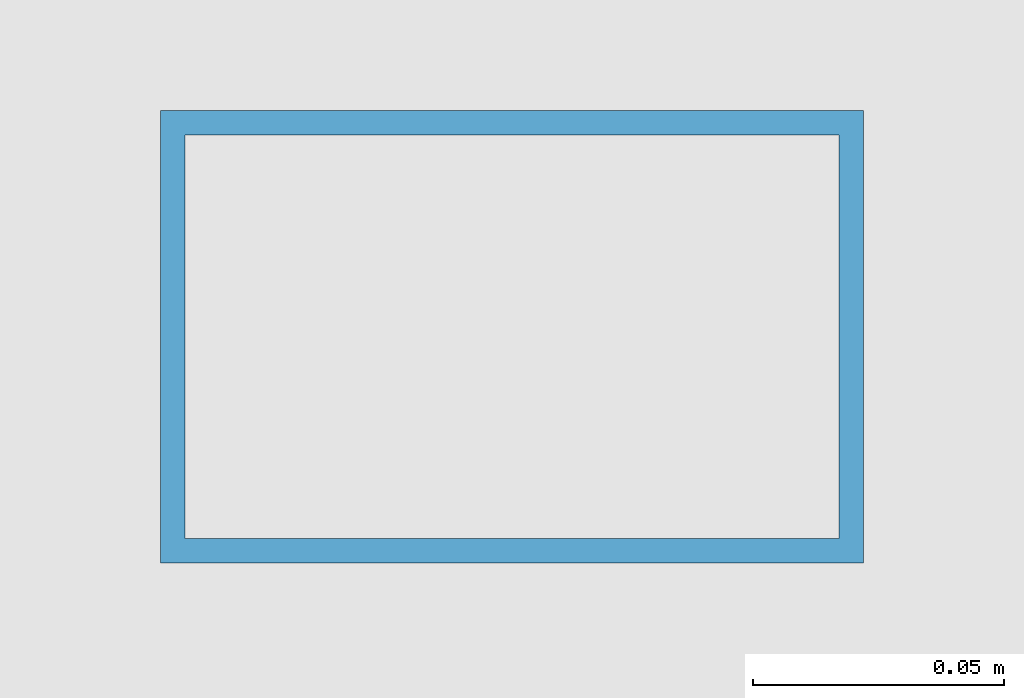
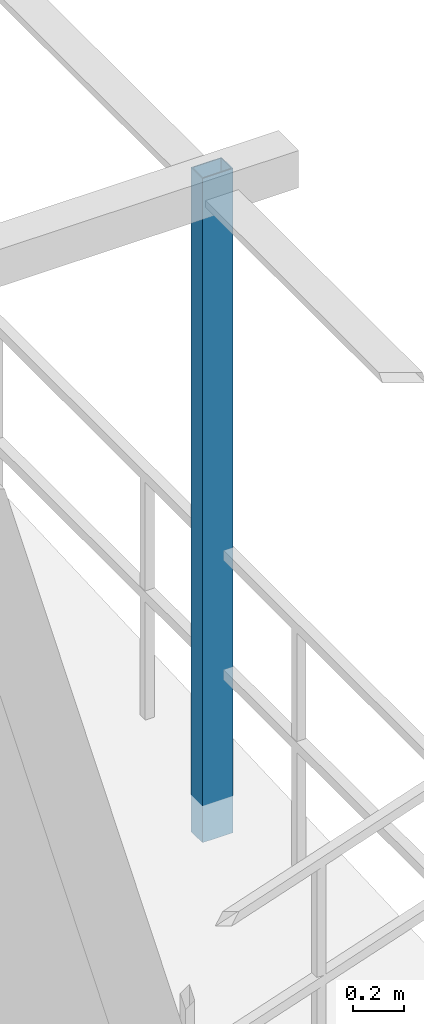
# One storey, part 7 of 23: 1 member.
"""IFC4 building model written with IfcOpenShell, lengths in metres."""

from ifc_helpers import new_model, si_unit, direction, frame, origin, origin_2d, place, context, subcontext, project, spatial, hollow_rectangle, extrude, source, transform, mapped, material, material_profile, profile_set, type_object, element, save


model = new_model("IFC4")

# Units and contexts
model_context = context("Model", 3, precision=1e-05, world=origin(), true_north=direction((0.0, 1.0)))
body_context = subcontext(model_context, "Body", "Model", "MODEL_VIEW")
ifc_project = project(units=[si_unit("LENGTHUNIT", "METRE"), si_unit("AREAUNIT", "SQUARE_METRE"), si_unit("VOLUMEUNIT", "CUBIC_METRE"), si_unit("PLANEANGLEUNIT", "RADIAN"), si_unit("MASSUNIT", "GRAM", prefix="KILO"), si_unit("THERMODYNAMICTEMPERATUREUNIT", "KELVIN"), si_unit("POWERUNIT", "WATT")], contexts=[model_context])

# Site, building, storey
site_placement = place(None, origin())
site = spatial("IfcSite", under=ifc_project, at=site_placement, CompositionType="ELEMENT")
building_placement = place(site_placement, origin())
building = spatial("IfcBuilding", under=site, at=building_placement, Name="Qiaomeng Ring Towers", CompositionType="ELEMENT")
storey_placement = place(building_placement, frame((0.0, 0.0, 89.25)))
storey = spatial("IfcBuildingStorey", under=building, at=storey_placement, Name="L25", CompositionType="ELEMENT", Elevation=89.25)

# Member
ifc_material = material(Name="Stainless steel 316", Category="steel")
ifc_material_profile = material_profile(ifc_material, hollow_rectangle(XDim=0.090087890625, YDim=0.139892578125, WallThickness=0.0048828125, at=origin_2d()), Name="SS TRELLIS 90x140")
ifc_profile_set = profile_set([ifc_material_profile], Name="Stainless steel 316")
member_type = type_object("IfcMemberType", Name="ARC-TR-POST1", PredefinedType="STUD", material=ifc_profile_set)
shared_shape = source(origin(), body_context, "Body", "SweptSolid", [
    extrude(hollow_rectangle(XDim=0.090087890625, YDim=0.139892578125, WallThickness=0.0048828125, at=origin_2d()), origin(), (0.0, 0.0, 1.0), 3.2099609375),
])
member_placement = place(storey_placement, frame((39.489990234375, 20.0, -0.179931640625), z_axis=(0.0, 0.0, 1.0), x_axis=(0.0, 1.0, 0.0)))
element("IfcMember", 1, at=member_placement, inside=storey, type_object=member_type, Name="L25 Outer Ventilated Trellis Post E", PredefinedType="STUD", context=body_context, shape_type="MappedRepresentation", body=[
    mapped(shared_shape, transform((0.0, 0.0, 0.0), x_axis=(1.0, 0.0, 0.0), y_axis=(0.0, 1.0, 0.0), z_axis=(0.0, 0.0, 1.0), scale=1.0)),
])

save(model, "model.ifc")
